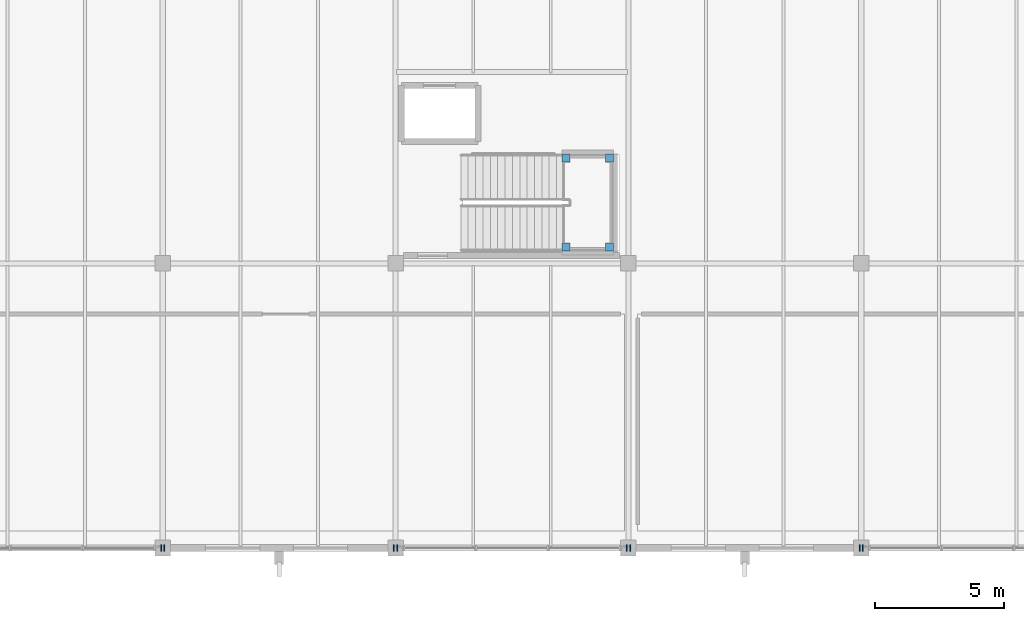
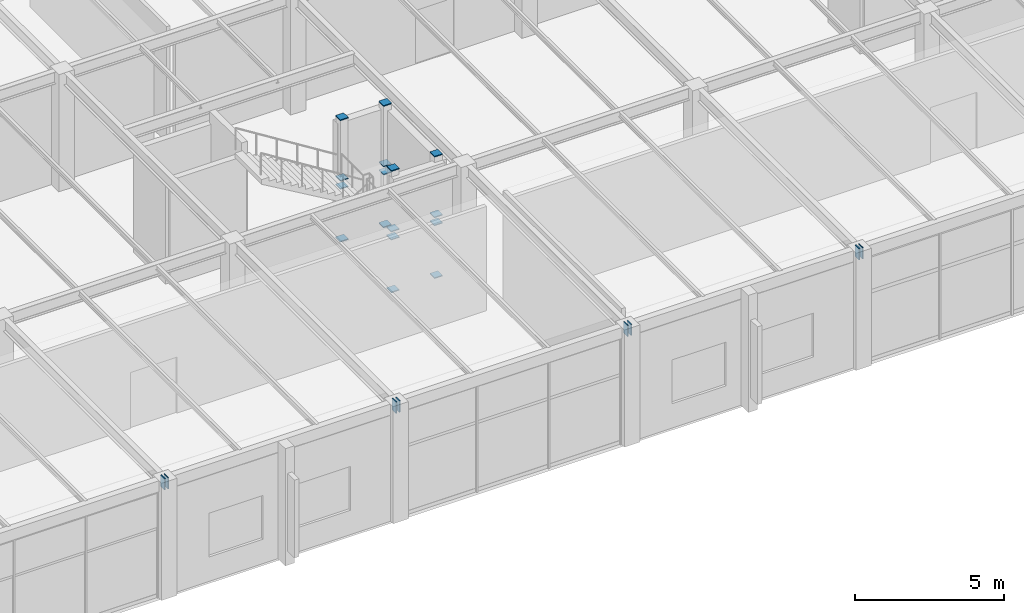
# One storey, part 106 of 143: 24 discrete accessories.
"""IFC4 building model written with IfcOpenShell, lengths in metres."""

import ifcopenshell
import ifcopenshell.guid

model = None  # the IFC model being written
_history = None  # IfcOwnerHistory: only IFC2X3 demands one
_inside = {}  # id of a spatial element -> (the spatial element, [elements in it])
_under = {}  # id of a project, library or spatial element -> (it, [spatial elements below it])
_declared = {}  # id of a project -> (the project, [libraries it declares])
_typed = {}  # id of a type object -> (the type object, [elements of that type])
_made_of = {}  # id of a material, layer set ... -> (it, [elements and type objects made of it])


def new_model(schema):
    """Start an empty IFC model of exactly this schema.

    Asked for "IFC4X3", IfcOpenShell would pick the latest addendum, in which some entities
    have other attributes; the version numbers below select the first issue.
    IFC2X3 requires an IfcOwnerHistory on every rooted entity: one is made here for all.
    """
    global model, _history
    if schema == "IFC4X3":
        model = ifcopenshell.file(schema_version=(4, 3, 0, 0))
    else:
        model = ifcopenshell.file(schema=schema)
    _inside.clear()
    _under.clear()
    _declared.clear()
    _typed.clear()
    _made_of.clear()
    _history = None
    if model.schema == "IFC2X3":
        org = make("IfcOrganization", Name="unknown")
        user = make(
            "IfcPersonAndOrganization",
            ThePerson=make("IfcPerson", FamilyName="unknown"),
            TheOrganization=org,
        )
        app = make(
            "IfcApplication",
            ApplicationDeveloper=org,
            Version="unknown",
            ApplicationFullName="unknown",
            ApplicationIdentifier="unknown",
        )
        _history = make(
            "IfcOwnerHistory",
            OwningUser=user,
            OwningApplication=app,
            ChangeAction="ADDED",
            CreationDate=0,
        )
    return model


def make(cls, **values):
    """One entity of the class cls with the attributes given. An attribute that is None is left unset."""
    return model.create_entity(
        cls, **{name: value for name, value in values.items() if value is not None}
    )


def rooted(cls, **values):
    """An entity with a GlobalId (a new one), such as an element, a storey or a relation."""
    return make(cls, GlobalId=ifcopenshell.guid.new(), OwnerHistory=_history, **values)


def si_unit(unit_type, name, prefix=None):
    """IfcSIUnit, for example si_unit("LENGTHUNIT", "METRE", prefix="MILLI")."""
    return make("IfcSIUnit", UnitType=unit_type, Prefix=prefix, Name=name)


def assignment(units):
    """IfcUnitAssignment: the units of a project."""
    return None if units is None else make("IfcUnitAssignment", Units=units)


def point(xyz):
    """IfcCartesianPoint."""
    return None if xyz is None else make("IfcCartesianPoint", Coordinates=xyz)


def direction(xyz):
    """IfcDirection."""
    return None if xyz is None else make("IfcDirection", DirectionRatios=xyz)


def frame(location, z_axis=None, x_axis=None):
    """IfcAxis2Placement3D, a coordinate frame: its origin and axes. An axis left out is left unset."""
    return make(
        "IfcAxis2Placement3D",
        Location=point(location),
        Axis=direction(z_axis),
        RefDirection=direction(x_axis),
    )


def frame_2d(location, x_axis=None):
    """IfcAxis2Placement2D, a coordinate frame in the plane: its origin and x axis."""
    return make(
        "IfcAxis2Placement2D", Location=point(location), RefDirection=direction(x_axis)
    )


def origin():
    """The frame at (0, 0, 0) with its axes left unset."""
    return frame((0.0, 0.0, 0.0))


def origin_2d():
    """The frame at (0, 0) in the plane with its x axis left unset."""
    return frame_2d((0.0, 0.0))


def place(relative_to, where):
    """IfcLocalPlacement: puts the frame where relative to a parent placement (None: the world)."""
    return make(
        "IfcLocalPlacement", PlacementRelTo=relative_to, RelativePlacement=where
    )


def context(
    kind, dimensions, precision=None, world=None, true_north=None, identifier=None
):
    """IfcGeometricRepresentationContext, for example the 3D "Model" context."""
    return make(
        "IfcGeometricRepresentationContext",
        ContextIdentifier=identifier,
        ContextType=kind,
        CoordinateSpaceDimension=dimensions,
        Precision=precision,
        WorldCoordinateSystem=world,
        TrueNorth=true_north,
    )


def subcontext(parent, identifier, kind, view, scale=None):
    """IfcGeometricRepresentationSubContext, for example "Body" below "Model"."""
    return make(
        "IfcGeometricRepresentationSubContext",
        ContextIdentifier=identifier,
        ContextType=kind,
        ParentContext=parent,
        TargetScale=scale,
        TargetView=view,
    )


def project(units=None, contexts=None):
    """IfcProject with its units and contexts."""
    return rooted(
        "IfcProject",
        Name="project",
        RepresentationContexts=contexts,
        UnitsInContext=assignment(units),
    )


def spatial(cls, under=None, at=None, **own):
    """A site, building, storey or space (cls), placed at a placement, below another one or the project."""
    s = rooted(cls, ObjectPlacement=at, **own)
    if under is not None:
        _under.setdefault(under.id(), (under, []))[1].append(s)
    return s


def profile(cls, at=None, kind="AREA", **sizes):
    """A parametric profile (cls). Its sizes go by their IFC names, for example OverallWidth=200.0."""
    return make(cls, ProfileType=kind, Position=at, **sizes)


def rectangle(**sizes):
    """IfcRectangleProfileDef."""
    return profile("IfcRectangleProfileDef", **sizes)


def extrude(swept, where, along, depth):
    """IfcExtrudedAreaSolid: the profile swept, set in the frame where, extruded along a direction by depth."""
    return make(
        "IfcExtrudedAreaSolid",
        SweptArea=swept,
        Position=where,
        ExtrudedDirection=direction(along),
        Depth=depth,
    )


def shape(context_of_items, identifier, shape_type, items):
    """IfcShapeRepresentation: the items that make up one representation, for example the "Body"."""
    return make(
        "IfcShapeRepresentation",
        ContextOfItems=context_of_items,
        RepresentationIdentifier=identifier,
        RepresentationType=shape_type,
        Items=items,
    )


def material(Name=None, Category=None):
    """IfcMaterial."""
    return make("IfcMaterial", Name=Name, Category=Category)


def made_of(thing, what):
    """Note that an element or type object is made of a material, layer set ...; save() writes the relation."""
    if what is not None:
        _made_of.setdefault(what.id(), (what, []))[1].append(thing)
    return thing


def element(
    cls,
    number,
    at=None,
    inside=None,
    cuts=None,
    type_object=None,
    material=None,
    context=None,
    identifier="Body",
    shape_type=None,
    held_by="IfcProductDefinitionShape",
    body=None,
    shapes=None,
    **own,
):
    """One element of the class cls, such as IfcWall. Its Tag is "e" and its number.

    at: its placement. inside: the storey or other place that contains it. cuts: it is an
    opening in that element (IfcRelVoidsElement). A single representation is given by context,
    identifier, shape_type and body (its items); several are given by shapes. held_by: the class
    of the entity that holds the representations. save() writes the other relations.
    """
    e = rooted(cls, Tag="e%d" % number, ObjectPlacement=at, **own)
    if body is not None:
        shapes = [shape(context, identifier, shape_type, body)]
    if shapes is not None:
        e.Representation = make(held_by, Representations=shapes)
    if inside is not None:
        _inside.setdefault(inside.id(), (inside, []))[1].append(e)
    if cuts is not None:
        rooted(
            "IfcRelVoidsElement", RelatingBuildingElement=cuts, RelatedOpeningElement=e
        )
    if type_object is not None:
        _typed.setdefault(type_object.id(), (type_object, []))[1].append(e)
    return made_of(e, material)


def aggregate(whole, parts):
    """IfcRelAggregates: a whole, such as a stair, and the parts it consists of."""
    return rooted("IfcRelAggregates", RelatingObject=whole, RelatedObjects=parts)


def save(model, path):
    """Write the relations noted so far, then the file.

    IfcRelAggregates (storeys below a building ...), IfcRelContainedInSpatialStructure (elements
    in a storey), IfcRelDefinesByType, IfcRelAssociatesMaterial and IfcRelDeclares: one each for
    every whole, place, type object, material and project.
    """
    for whole, parts in _under.values():
        aggregate(whole, parts)
    for where, things in _inside.values():
        rooted(
            "IfcRelContainedInSpatialStructure",
            RelatedElements=things,
            RelatingStructure=where,
        )
    for kind, things in _typed.values():
        rooted("IfcRelDefinesByType", RelatedObjects=things, RelatingType=kind)
    for what, things in _made_of.values():
        rooted("IfcRelAssociatesMaterial", RelatedObjects=things, RelatingMaterial=what)
    for by, libraries in _declared.values():
        rooted("IfcRelDeclares", RelatingContext=by, RelatedDefinitions=libraries)
    model.write(path)


model = new_model("IFC4")

# Units and contexts
model_context = context("Model", 3, precision=1e-05, world=origin(), true_north=direction((0.0, 1.0)))
body_context = subcontext(model_context, "Body", "Model", "MODEL_VIEW")
ifc_project = project(units=[si_unit("LENGTHUNIT", "METRE"), si_unit("AREAUNIT", "SQUARE_METRE"), si_unit("VOLUMEUNIT", "CUBIC_METRE"), si_unit("PLANEANGLEUNIT", "RADIAN"), si_unit("MASSUNIT", "GRAM", prefix="KILO")], contexts=[model_context])

# Site, building, storey
site_placement = place(None, origin())
site = spatial("IfcSite", under=ifc_project, at=site_placement, CompositionType="ELEMENT")
building_placement = place(site_placement, origin())
building = spatial("IfcBuilding", under=site, at=building_placement, Name="Marlcrest Central Station", CompositionType="ELEMENT")
storey_placement = place(building_placement, frame((0.0, 0.0, 4.800048828125)))
storey = spatial("IfcBuildingStorey", under=building, at=storey_placement, Name="L01", CompositionType="ELEMENT", Elevation=4.800048828125)

# Discrete accessories
ifc_material = material(Name="Steel S355", Category="steel")
for number, where, z_axis, x_axis, name in (
    (1, (161.9150390625, 0.0, 4.58984375), (1.0, 0.0, 0.0), (0.0, 1.0, 0.0), "endcap-bm-SP-02-L01-00859-e"),
    (2, (162.045166015625, 0.0, 4.58984375), (1.0, 0.0, 0.0), (0.0, 1.0, 0.0), "endcap-bm-SP-02-L01-00860-s"),
    (3, (170.9150390625, 0.0, 4.58984375), (1.0, 0.0, 0.0), (0.0, 1.0, 0.0), "endcap-bm-SP-02-L01-00860-e"),
    (4, (171.045166015625, 0.0, 4.58984375), (1.0, 0.0, 0.0), (0.0, 1.0, 0.0), "endcap-bm-SP-02-L01-00861-s"),
    (5, (179.9150390625, 0.0, 4.58984375), (1.0, 0.0, 0.0), (0.0, 1.0, 0.0), "endcap-bm-SP-02-L01-00861-e"),
    (6, (180.045166015625, 0.0, 4.58984375), (1.0, 0.0, 0.0), (0.0, 1.0, 0.0), "endcap-bm-SP-02-L01-00862-s"),
    (7, (188.9150390625, 0.0, 4.58984375), (1.0, 0.0, 0.0), (0.0, 1.0, 0.0), "endcap-bm-SP-02-L01-00862-e"),
    (8, (189.045166015625, 0.0, 4.58984375), (1.0, 0.0, 0.0), (0.0, 1.0, 0.0), "endcap-bm-SP-02-L01-00863-s"),
):
    element("IfcDiscreteAccessory", number, at=place(storey_placement, frame(where, z_axis=z_axis, x_axis=x_axis)), inside=storey, material=ifc_material, Name=name, ObjectType="END_CAP_PLATE", PredefinedType="BRACKET", context=body_context, shape_type="SweptSolid", body=[
        extrude(rectangle(XDim=0.26611328125, YDim=0.466064453125, at=origin_2d()), origin(), (0.0, 0.0, 1.0), 0.0400390625),
    ])
for number, where, z_axis, x_axis, name in (
    (9, (177.590087890625, 11.6298828125, -0.014892578125), (0.0, 0.0, 1.0), (1.0, 0.0, 0.0), "endcap-htcol-lo-0039-0-s"),
    (10, (177.590087890625, 11.6298828125, 2.155029296875), (0.0, 0.0, 1.0), (1.0, 0.0, 0.0), "endcap-htcol-lo-0039-0-e"),
    (11, (177.590087890625, 11.6298828125, 2.485107421875), (0.0, 0.0, 1.0), (1.0, 0.0, 0.0), "endcap-htcol-hi-0039-0-s"),
    (12, (177.590087890625, 11.6298828125, 4.97509765625), (0.0, 0.0, 1.0), (1.0, 0.0, 0.0), "endcap-htcol-hi-0039-0-e"),
    (13, (179.27001953125, 11.6298828125, -0.014892578125), (0.0, 0.0, 1.0), (1.0, 0.0, 0.0), "endcap-htcol-lo-0039-1-s"),
    (14, (179.27001953125, 11.6298828125, 2.155029296875), (0.0, 0.0, 1.0), (1.0, 0.0, 0.0), "endcap-htcol-lo-0039-1-e"),
    (15, (179.27001953125, 11.6298828125, 2.485107421875), (0.0, 0.0, 1.0), (1.0, 0.0, 0.0), "endcap-htcol-hi-0039-1-s"),
    (16, (179.27001953125, 11.6298828125, 4.97509765625), (0.0, 0.0, 1.0), (1.0, 0.0, 0.0), "endcap-htcol-hi-0039-1-e"),
    (17, (179.27001953125, 15.070068359375, -0.014892578125), (0.0, 0.0, 1.0), (1.0, 0.0, 0.0), "endcap-htcol-lo-0039-2-s"),
    (18, (179.27001953125, 15.070068359375, 2.155029296875), (0.0, 0.0, 1.0), (1.0, 0.0, 0.0), "endcap-htcol-lo-0039-2-e"),
    (19, (179.27001953125, 15.070068359375, 2.485107421875), (0.0, 0.0, 1.0), (1.0, 0.0, 0.0), "endcap-htcol-hi-0039-2-s"),
    (20, (179.27001953125, 15.070068359375, 4.97509765625), (0.0, 0.0, 1.0), (1.0, 0.0, 0.0), "endcap-htcol-hi-0039-2-e"),
    (21, (177.590087890625, 15.070068359375, -0.014892578125), (0.0, 0.0, 1.0), (1.0, 0.0, 0.0), "endcap-htcol-lo-0039-3-s"),
    (22, (177.590087890625, 15.070068359375, 2.155029296875), (0.0, 0.0, 1.0), (1.0, 0.0, 0.0), "endcap-htcol-lo-0039-3-e"),
    (23, (177.590087890625, 15.070068359375, 2.485107421875), (0.0, 0.0, 1.0), (1.0, 0.0, 0.0), "endcap-htcol-hi-0039-3-s"),
    (24, (177.590087890625, 15.070068359375, 4.97509765625), (0.0, 0.0, 1.0), (1.0, 0.0, 0.0), "endcap-htcol-hi-0039-3-e"),
):
    element("IfcDiscreteAccessory", number, at=place(storey_placement, frame(where, z_axis=z_axis, x_axis=x_axis)), inside=storey, material=ifc_material, Name=name, ObjectType="END_CAP_PLATE", PredefinedType="BRACKET", context=body_context, shape_type="SweptSolid", body=[
        extrude(rectangle(XDim=0.31591796875, YDim=0.31591796875, at=origin_2d()), origin(), (0.0, 0.0, 1.0), 0.0400390625),
    ])

save(model, "model.ifc")
